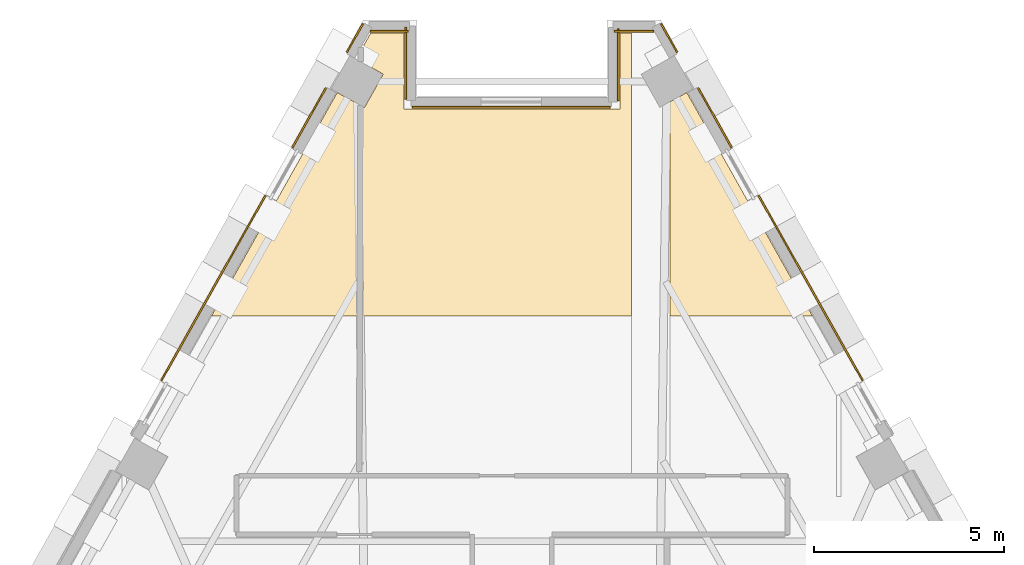
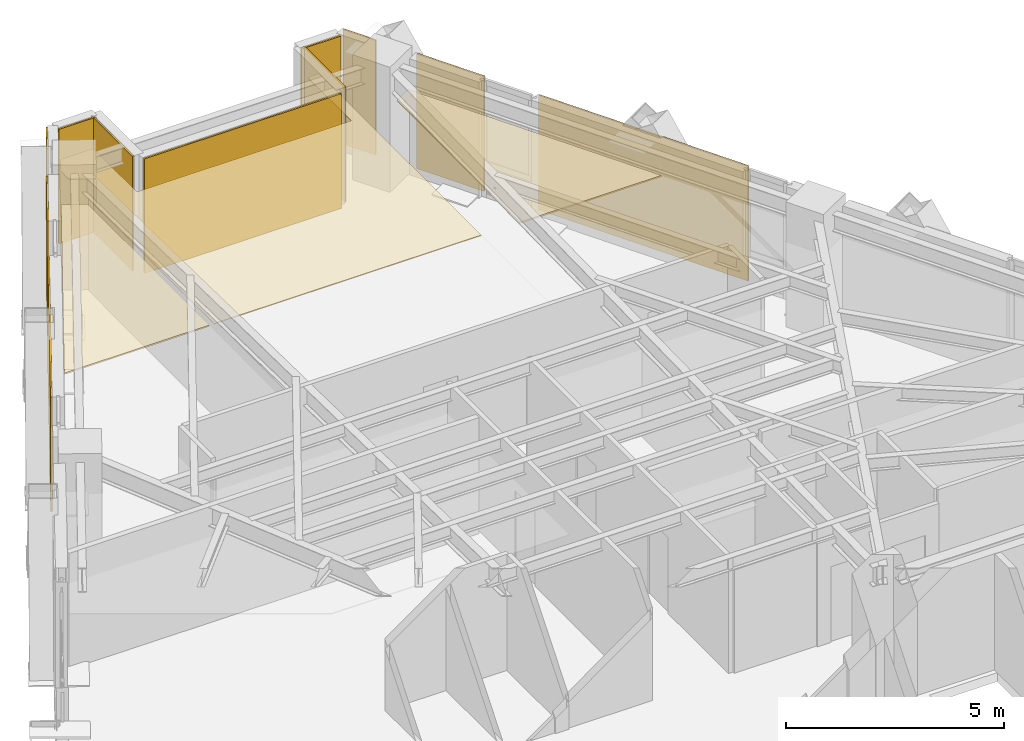
# One storey, part 14 of 14: 14 coverings.
"""IFC4 building model written with IfcOpenShell, lengths in metres."""

import ifcopenshell
import ifcopenshell.guid

model = None  # the IFC model being written
_history = None  # IfcOwnerHistory: only IFC2X3 demands one
_inside = {}  # id of a spatial element -> (the spatial element, [elements in it])
_under = {}  # id of a project, library or spatial element -> (it, [spatial elements below it])
_declared = {}  # id of a project -> (the project, [libraries it declares])
_typed = {}  # id of a type object -> (the type object, [elements of that type])
_made_of = {}  # id of a material, layer set ... -> (it, [elements and type objects made of it])


def new_model(schema):
    """Start an empty IFC model of exactly this schema.

    Asked for "IFC4X3", IfcOpenShell would pick the latest addendum, in which some entities
    have other attributes; the version numbers below select the first issue.
    IFC2X3 requires an IfcOwnerHistory on every rooted entity: one is made here for all.
    """
    global model, _history
    if schema == "IFC4X3":
        model = ifcopenshell.file(schema_version=(4, 3, 0, 0))
    else:
        model = ifcopenshell.file(schema=schema)
    _inside.clear()
    _under.clear()
    _declared.clear()
    _typed.clear()
    _made_of.clear()
    _history = None
    if model.schema == "IFC2X3":
        org = make("IfcOrganization", Name="unknown")
        user = make(
            "IfcPersonAndOrganization",
            ThePerson=make("IfcPerson", FamilyName="unknown"),
            TheOrganization=org,
        )
        app = make(
            "IfcApplication",
            ApplicationDeveloper=org,
            Version="unknown",
            ApplicationFullName="unknown",
            ApplicationIdentifier="unknown",
        )
        _history = make(
            "IfcOwnerHistory",
            OwningUser=user,
            OwningApplication=app,
            ChangeAction="ADDED",
            CreationDate=0,
        )
    return model


def make(cls, **values):
    """One entity of the class cls with the attributes given. An attribute that is None is left unset."""
    return model.create_entity(
        cls, **{name: value for name, value in values.items() if value is not None}
    )


def rooted(cls, **values):
    """An entity with a GlobalId (a new one), such as an element, a storey or a relation."""
    return make(cls, GlobalId=ifcopenshell.guid.new(), OwnerHistory=_history, **values)


def si_unit(unit_type, name, prefix=None):
    """IfcSIUnit, for example si_unit("LENGTHUNIT", "METRE", prefix="MILLI")."""
    return make("IfcSIUnit", UnitType=unit_type, Prefix=prefix, Name=name)


def assignment(units):
    """IfcUnitAssignment: the units of a project."""
    return None if units is None else make("IfcUnitAssignment", Units=units)


def point(xyz):
    """IfcCartesianPoint."""
    return None if xyz is None else make("IfcCartesianPoint", Coordinates=xyz)


def direction(xyz):
    """IfcDirection."""
    return None if xyz is None else make("IfcDirection", DirectionRatios=xyz)


def frame(location, z_axis=None, x_axis=None):
    """IfcAxis2Placement3D, a coordinate frame: its origin and axes. An axis left out is left unset."""
    return make(
        "IfcAxis2Placement3D",
        Location=point(location),
        Axis=direction(z_axis),
        RefDirection=direction(x_axis),
    )


def origin():
    """The frame at (0, 0, 0) with its axes left unset."""
    return frame((0.0, 0.0, 0.0))


def place(relative_to, where):
    """IfcLocalPlacement: puts the frame where relative to a parent placement (None: the world)."""
    return make(
        "IfcLocalPlacement", PlacementRelTo=relative_to, RelativePlacement=where
    )


def context(
    kind, dimensions, precision=None, world=None, true_north=None, identifier=None
):
    """IfcGeometricRepresentationContext, for example the 3D "Model" context."""
    return make(
        "IfcGeometricRepresentationContext",
        ContextIdentifier=identifier,
        ContextType=kind,
        CoordinateSpaceDimension=dimensions,
        Precision=precision,
        WorldCoordinateSystem=world,
        TrueNorth=true_north,
    )


def subcontext(parent, identifier, kind, view, scale=None):
    """IfcGeometricRepresentationSubContext, for example "Body" below "Model"."""
    return make(
        "IfcGeometricRepresentationSubContext",
        ContextIdentifier=identifier,
        ContextType=kind,
        ParentContext=parent,
        TargetScale=scale,
        TargetView=view,
    )


def project(units=None, contexts=None):
    """IfcProject with its units and contexts."""
    return rooted(
        "IfcProject",
        Name="project",
        RepresentationContexts=contexts,
        UnitsInContext=assignment(units),
    )


def spatial(cls, under=None, at=None, **own):
    """A site, building, storey or space (cls), placed at a placement, below another one or the project."""
    s = rooted(cls, ObjectPlacement=at, **own)
    if under is not None:
        _under.setdefault(under.id(), (under, []))[1].append(s)
    return s


def polyline(points):
    """IfcPolyline through the points."""
    return make("IfcPolyline", Points=[point(p) for p in points])


def outline(outer, holes=None, kind="AREA"):
    """IfcArbitraryClosedProfileDef: a profile drawn as a closed curve; with holes, ...WithVoids."""
    if holes is None:
        return make("IfcArbitraryClosedProfileDef", ProfileType=kind, OuterCurve=outer)
    return make(
        "IfcArbitraryProfileDefWithVoids",
        ProfileType=kind,
        OuterCurve=outer,
        InnerCurves=holes,
    )


def extrude(swept, where, along, depth):
    """IfcExtrudedAreaSolid: the profile swept, set in the frame where, extruded along a direction by depth."""
    return make(
        "IfcExtrudedAreaSolid",
        SweptArea=swept,
        Position=where,
        ExtrudedDirection=direction(along),
        Depth=depth,
    )


def shape(context_of_items, identifier, shape_type, items):
    """IfcShapeRepresentation: the items that make up one representation, for example the "Body"."""
    return make(
        "IfcShapeRepresentation",
        ContextOfItems=context_of_items,
        RepresentationIdentifier=identifier,
        RepresentationType=shape_type,
        Items=items,
    )


def material(Name=None, Category=None):
    """IfcMaterial."""
    return make("IfcMaterial", Name=Name, Category=Category)


def layer(
    of_material, thickness, ventilated=None, Name=None, Category=None, Priority=None
):
    """IfcMaterialLayer: one layer of a wall or slab, of a material (None: an air gap)."""
    return make(
        "IfcMaterialLayer",
        Material=of_material,
        LayerThickness=thickness,
        IsVentilated=ventilated,
        Name=Name,
        Category=Category,
        Priority=Priority,
    )


def layer_set(layers, Name=None):
    """IfcMaterialLayerSet."""
    return make("IfcMaterialLayerSet", MaterialLayers=layers, LayerSetName=Name)


def made_of(thing, what):
    """Note that an element or type object is made of a material, layer set ...; save() writes the relation."""
    if what is not None:
        _made_of.setdefault(what.id(), (what, []))[1].append(thing)
    return thing


def type_object(cls, material=None, **own):
    """A type object (cls), such as IfcWallType, which elements share."""
    return made_of(rooted(cls, **own), material)


def element(
    cls,
    number,
    at=None,
    inside=None,
    cuts=None,
    type_object=None,
    material=None,
    context=None,
    identifier="Body",
    shape_type=None,
    held_by="IfcProductDefinitionShape",
    body=None,
    shapes=None,
    **own,
):
    """One element of the class cls, such as IfcWall. Its Tag is "e" and its number.

    at: its placement. inside: the storey or other place that contains it. cuts: it is an
    opening in that element (IfcRelVoidsElement). A single representation is given by context,
    identifier, shape_type and body (its items); several are given by shapes. held_by: the class
    of the entity that holds the representations. save() writes the other relations.
    """
    e = rooted(cls, Tag="e%d" % number, ObjectPlacement=at, **own)
    if body is not None:
        shapes = [shape(context, identifier, shape_type, body)]
    if shapes is not None:
        e.Representation = make(held_by, Representations=shapes)
    if inside is not None:
        _inside.setdefault(inside.id(), (inside, []))[1].append(e)
    if cuts is not None:
        rooted(
            "IfcRelVoidsElement", RelatingBuildingElement=cuts, RelatedOpeningElement=e
        )
    if type_object is not None:
        _typed.setdefault(type_object.id(), (type_object, []))[1].append(e)
    return made_of(e, material)


def aggregate(whole, parts):
    """IfcRelAggregates: a whole, such as a stair, and the parts it consists of."""
    return rooted("IfcRelAggregates", RelatingObject=whole, RelatedObjects=parts)


def save(model, path):
    """Write the relations noted so far, then the file.

    IfcRelAggregates (storeys below a building ...), IfcRelContainedInSpatialStructure (elements
    in a storey), IfcRelDefinesByType, IfcRelAssociatesMaterial and IfcRelDeclares: one each for
    every whole, place, type object, material and project.
    """
    for whole, parts in _under.values():
        aggregate(whole, parts)
    for where, things in _inside.values():
        rooted(
            "IfcRelContainedInSpatialStructure",
            RelatedElements=things,
            RelatingStructure=where,
        )
    for kind, things in _typed.values():
        rooted("IfcRelDefinesByType", RelatedObjects=things, RelatingType=kind)
    for what, things in _made_of.values():
        rooted("IfcRelAssociatesMaterial", RelatedObjects=things, RelatingMaterial=what)
    for by, libraries in _declared.values():
        rooted("IfcRelDeclares", RelatingContext=by, RelatedDefinitions=libraries)
    model.write(path)


model = new_model("IFC4")

# Units and contexts
model_context = context("Model", 3, precision=1e-05, world=origin(), true_north=direction((0.0, 1.0)))
body_context = subcontext(model_context, "Body", "Model", "MODEL_VIEW")
ifc_project = project(units=[si_unit("LENGTHUNIT", "METRE"), si_unit("AREAUNIT", "SQUARE_METRE"), si_unit("VOLUMEUNIT", "CUBIC_METRE"), si_unit("PLANEANGLEUNIT", "RADIAN"), si_unit("MASSUNIT", "GRAM", prefix="KILO")], contexts=[model_context])

# Site, building, storey
site_placement = place(None, origin())
site = spatial("IfcSite", under=ifc_project, at=site_placement, CompositionType="ELEMENT")
building_placement = place(site_placement, origin())
building = spatial("IfcBuilding", under=site, at=building_placement, Name="Quenlor Broadcast Tower", CompositionType="ELEMENT")
storey_placement = place(building_placement, frame((0.0, 0.0, 168.5)))
storey = spatial("IfcBuildingStorey", under=building, at=storey_placement, Name="L46", CompositionType="ELEMENT", Elevation=168.5)

# Coverings
ifc_material_1 = material(Name="Acoustic Mineral Fibre Board", Category="other")
ifc_layer_1 = layer(ifc_material_1, 0.02490234375)
ifc_layer_set_1 = layer_set([ifc_layer_1], Name="Acoustic Perforated Mineral Tile Ceiling 25")
covering_type_1 = type_object("IfcCoveringType", Name="Acoustic Perforated Mineral Tile Ceiling 25", PredefinedType="CEILING", material=ifc_layer_set_1)
covering_1_placement = place(storey_placement, frame((0.0, 0.0, 2.375)))
element("IfcCovering", 1, at=covering_1_placement, inside=storey, type_object=covering_type_1, Name="L46 Acoustic Ceiling L46-31-2", PredefinedType="CEILING", context=body_context, shape_type="SweptSolid", body=[
    extrude(outline(polyline([(2.840087890625, 18.10009765625), (2.840087890625, 20.10009765625), (3.139892578125, 20.10009765625), (3.139892578125, 12.64990234375), (-3.93994140625, 12.64990234375), (-3.93994140625, 18.160888671875), (-3.885498046875, 18.13037109375), (-3.387451171875, 19.015869140625), (-3.93994140625, 19.32666015625), (-3.93994140625, 19.701904296875), (-3.71630859375, 20.10009765625), (-2.840087890625, 20.10009765625), (-2.840087890625, 18.10009765625), (2.840087890625, 18.10009765625)])), origin(), (0.0, 0.0, 1.0), 0.02490234375),
])
ifc_material_2 = material(Name="Acoustic Gypsum Board", Category="other")
ifc_layer_2 = layer(ifc_material_2, 0.0400390625)
ifc_layer_set_2 = layer_set([ifc_layer_2], Name="Broadcast Studio Spring Isolated Ceiling 40")
covering_type_2 = type_object("IfcCoveringType", Name="Broadcast Studio Spring Isolated Ceiling 40", PredefinedType="CEILING", material=ifc_layer_set_2)
covering_2_placement = place(storey_placement, frame((0.0, 0.0, 2.360107421875)))
element("IfcCovering", 2, at=covering_2_placement, inside=storey, type_object=covering_type_2, Name="L46 Acoustic Ceiling L46-32-2", PredefinedType="CEILING", context=body_context, shape_type="SweptSolid", body=[
    extrude(outline(polyline([(-4.598388671875, 18.53125), (-4.06005859375, 18.228515625), (-4.06005859375, 12.64990234375), (-7.90673828125, 12.64990234375), (-4.598388671875, 18.53125)])), origin(), (0.0, 0.0, 1.0), 0.039794921875),
])
covering_3_placement = place(storey_placement, frame((0.0, 0.0, 2.360107421875)))
element("IfcCovering", 3, at=covering_3_placement, inside=storey, type_object=covering_type_2, Name="L46 Acoustic Ceiling L46-33-2", PredefinedType="CEILING", context=body_context, shape_type="SweptSolid", body=[
    extrude(outline(polyline([(4.159912109375, 18.28466796875), (4.598388671875, 18.53125), (7.90673828125, 12.64990234375), (4.159912109375, 12.64990234375), (4.159912109375, 18.28466796875)])), origin(), (0.0, 0.0, 1.0), 0.039794921875),
])
ifc_material_3 = material(Name="Architectural Terracotta Ceramic", Category="masonry")
ifc_layer_3 = layer(ifc_material_3, 0.044921875)
ifc_layer_set_3 = layer_set([ifc_layer_3], Name="Fluted Terracotta Rainscreen Cladding Panel")
covering_type_3 = type_object("IfcCoveringType", Name="Fluted Terracotta Rainscreen Cladding Panel", PredefinedType="CLADDING", material=ifc_layer_set_3)
covering_4_placement = place(storey_placement, frame((0.0, 0.0, 0.02001953125)))
element("IfcCovering", 4, at=covering_4_placement, inside=storey, type_object=covering_type_3, Name="L46 Terracotta Rainscreen Cladding L46-SHD-NES0", PredefinedType="CLADDING", context=body_context, shape_type="SweptSolid", body=[
    extrude(outline(polyline([(3.904296875, 20.330810546875), (4.32861328125, 19.576171875), (4.367919921875, 19.59814453125), (3.943359375, 20.352783203125), (3.904296875, 20.330810546875)])), origin(), (0.0, 0.0, 1.0), 3.2099609375),
])
covering_5_placement = place(storey_placement, frame((0.0, 0.0, 0.02001953125)))
element("IfcCovering", 5, at=covering_5_placement, inside=storey, type_object=covering_type_3, Name="L46 Terracotta Rainscreen Cladding L46-NEA-SP1", PredefinedType="CLADDING", context=body_context, shape_type="SweptSolid", body=[
    extrude(outline(polyline([(4.880615234375, 18.635986328125), (5.760986328125, 17.070556640625), (5.80029296875, 17.092529296875), (4.919677734375, 18.657958984375), (4.880615234375, 18.635986328125)])), origin(), (0.0, 0.0, 1.0), 3.2099609375),
])
covering_6_placement = place(storey_placement, frame((0.0, 0.0, 0.02001953125)))
element("IfcCovering", 6, at=covering_6_placement, inside=storey, type_object=covering_type_3, Name="L46 Terracotta Rainscreen Cladding L46-NEA-SP2", PredefinedType="CLADDING", context=body_context, shape_type="SweptSolid", body=[
    extrude(outline(polyline([(6.4716796875, 15.806884765625), (9.208984375, 10.940673828125), (9.248291015625, 10.962646484375), (6.510986328125, 15.8291015625), (6.4716796875, 15.806884765625)])), origin(), (0.0, 0.0, 1.0), 3.2099609375),
])
covering_7_placement = place(storey_placement, frame((0.0, 0.0, 0.02001953125)))
element("IfcCovering", 7, at=covering_7_placement, inside=storey, type_object=covering_type_3, Name="L46 Terracotta Rainscreen Cladding L46-SHD-NWS1", PredefinedType="CLADDING", context=body_context, shape_type="SweptSolid", body=[
    extrude(outline(polyline([(-4.32861328125, 19.576171875), (-3.904296875, 20.330810546875), (-3.943359375, 20.352783203125), (-4.367919921875, 19.59814453125), (-4.32861328125, 19.576171875)])), origin(), (0.0, 0.0, 1.0), 3.2099609375),
])
covering_8_placement = place(storey_placement, frame((0.0, 0.0, 0.02001953125)))
element("IfcCovering", 8, at=covering_8_placement, inside=storey, type_object=covering_type_3, Name="L46 Terracotta Rainscreen Cladding L46-NWC-SP2", PredefinedType="CLADDING", context=body_context, shape_type="SweptSolid", body=[
    extrude(outline(polyline([(-9.208984375, 10.940673828125), (-6.4716796875, 15.806884765625), (-6.510986328125, 15.8291015625), (-9.248291015625, 10.962646484375), (-9.208984375, 10.940673828125)])), origin(), (0.0, 0.0, 1.0), 3.2099609375),
])
covering_9_placement = place(storey_placement, frame((0.0, 0.0, 0.02001953125)))
element("IfcCovering", 9, at=covering_9_placement, inside=storey, type_object=covering_type_3, Name="L46 Terracotta Rainscreen Cladding L46-NWC-SP3", PredefinedType="CLADDING", context=body_context, shape_type="SweptSolid", body=[
    extrude(outline(polyline([(-5.760986328125, 17.070556640625), (-4.880615234375, 18.635986328125), (-4.919677734375, 18.657958984375), (-5.80029296875, 17.092529296875), (-5.760986328125, 17.070556640625)])), origin(), (0.0, 0.0, 1.0), 3.2099609375),
])
covering_10_placement = place(storey_placement, frame((0.0, 0.0, 0.02001953125)))
element("IfcCovering", 10, at=covering_10_placement, inside=storey, type_object=covering_type_3, Name="L46 Terracotta Rainscreen Cladding L46-CNR-06", PredefinedType="CLADDING", context=body_context, shape_type="SweptSolid", body=[
    extrude(outline(polyline([(3.7314453125, 20.16796875), (2.68994140625, 20.16796875), (2.68994140625, 20.123046875), (3.7314453125, 20.123046875), (3.7314453125, 20.16796875)])), origin(), (0.0, 0.0, 1.0), 3.2099609375),
])
covering_11_placement = place(storey_placement, frame((0.0, 0.0, 0.02001953125)))
element("IfcCovering", 11, at=covering_11_placement, inside=storey, type_object=covering_type_3, Name="L46 Terracotta Rainscreen Cladding L46-CNR-07", PredefinedType="CLADDING", context=body_context, shape_type="SweptSolid", body=[
    extrude(outline(polyline([(2.77197265625, 20.2099609375), (2.77197265625, 18.31005859375), (2.81689453125, 18.31005859375), (2.81689453125, 20.2099609375), (2.77197265625, 20.2099609375)])), origin(), (0.0, 0.0, 1.0), 3.2099609375),
])
covering_12_placement = place(storey_placement, frame((0.0, 0.0, 0.02001953125)))
element("IfcCovering", 12, at=covering_12_placement, inside=storey, type_object=covering_type_3, Name="L46 Terracotta Rainscreen Cladding L46-CNR-08", PredefinedType="CLADDING", context=body_context, shape_type="SweptSolid", body=[
    extrude(outline(polyline([(2.590087890625, 18.16796875), (-2.6298828125, 18.16796875), (-2.6298828125, 18.123046875), (2.590087890625, 18.123046875), (2.590087890625, 18.16796875)])), origin(), (0.0, 0.0, 1.0), 3.2099609375),
])
covering_13_placement = place(storey_placement, frame((0.0, 0.0, 0.02001953125)))
element("IfcCovering", 13, at=covering_13_placement, inside=storey, type_object=covering_type_3, Name="L46 Terracotta Rainscreen Cladding L46-CNR-09", PredefinedType="CLADDING", context=body_context, shape_type="SweptSolid", body=[
    extrude(outline(polyline([(-2.77197265625, 18.35009765625), (-2.77197265625, 20.25), (-2.81689453125, 20.25), (-2.81689453125, 18.35009765625), (-2.77197265625, 18.35009765625)])), origin(), (0.0, 0.0, 1.0), 3.2099609375),
])
covering_14_placement = place(storey_placement, frame((0.0, 0.0, 0.02001953125)))
element("IfcCovering", 14, at=covering_14_placement, inside=storey, type_object=covering_type_3, Name="L46 Terracotta Rainscreen Cladding L46-CNR-10", PredefinedType="CLADDING", context=body_context, shape_type="SweptSolid", body=[
    extrude(outline(polyline([(-2.72998046875, 20.16796875), (-3.7314453125, 20.16796875), (-3.7314453125, 20.123046875), (-2.72998046875, 20.123046875), (-2.72998046875, 20.16796875)])), origin(), (0.0, 0.0, 1.0), 3.2099609375),
])

save(model, "model.ifc")
